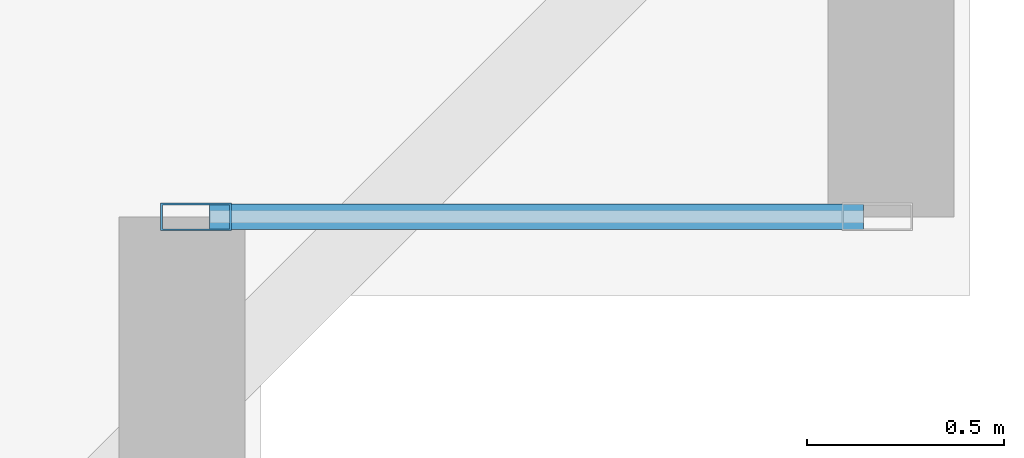
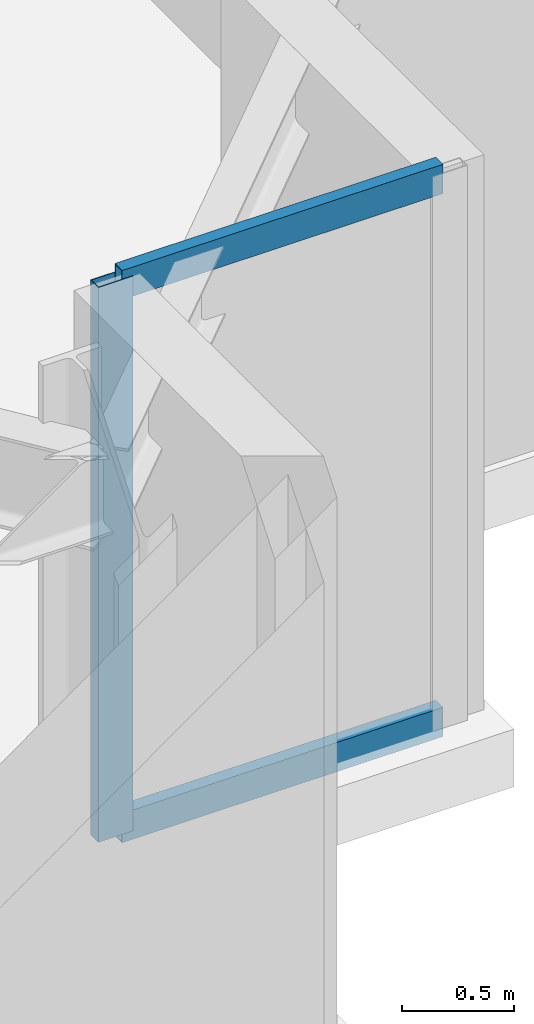
# One storey, part 10 of 26: 3 members, 1 element without a shape of its own.
"""IFC4 building model written with IfcOpenShell, lengths in metres."""

from ifc_helpers import new_model, si_unit, direction, frame, origin, origin_2d, place, context, subcontext, project, spatial, hollow_rectangle, extrude, material, layer, layer_set, material_profile, profile_set, type_object, element, aggregate, save


model = new_model("IFC4")

# Units and contexts
model_context = context("Model", 3, precision=1e-05, world=origin(), true_north=direction((0.0, 1.0)))
body_context = subcontext(model_context, "Body", "Model", "MODEL_VIEW")
ifc_project = project(units=[si_unit("LENGTHUNIT", "METRE"), si_unit("AREAUNIT", "SQUARE_METRE"), si_unit("VOLUMEUNIT", "CUBIC_METRE"), si_unit("PLANEANGLEUNIT", "RADIAN"), si_unit("MASSUNIT", "GRAM", prefix="KILO")], contexts=[model_context])

# Site, building, storey
site_placement = place(None, origin())
site = spatial("IfcSite", under=ifc_project, at=site_placement, CompositionType="ELEMENT")
building_placement = place(site_placement, origin())
building = spatial("IfcBuilding", under=site, at=building_placement, Name="Qobustan Lattice House", CompositionType="ELEMENT")
storey_placement = place(building_placement, frame((0.0, 0.0, 47.10009765625)))
storey = spatial("IfcBuildingStorey", under=building, at=storey_placement, Name="L12", CompositionType="ELEMENT", Elevation=47.10009765625)

# Curtain wall, members
ifc_material_1 = material(Name="Anodised aluminium and low-E glazing", Category="aluminium")
ifc_layer = layer(ifc_material_1, 0.219970703125)
ifc_layer_set = layer_set([ifc_layer], Name="Anodised aluminium and low-E glazing")
curtain_wall_type = type_object("IfcCurtainWallType", Name="CW-FAC-01", PredefinedType="USERDEFINED", material=ifc_layer_set)
curtain_wall_placement = place(storey_placement, origin())
curtain_wall = element("IfcCurtainWall", 1, at=curtain_wall_placement, inside=storey, type_object=curtain_wall_type, Name="L12 serrated corner faceted glazing 18", ObjectType="CURTAIN WALL", PredefinedType="USERDEFINED")
ifc_material_2 = material(Name="Anodised aluminium EN AW-6063 T6", Category="aluminium")
ifc_material_profile_1 = material_profile(ifc_material_2, hollow_rectangle(XDim=0.070068359375, YDim=0.179931640625, WallThickness=0.00439453125, at=origin_2d()), Name="CWM-180x70")
ifc_profile_set_1 = profile_set([ifc_material_profile_1], Name="Anodised aluminium EN AW-6063 T6")
member_type_1 = type_object("IfcMemberType", Name="CWM-STD-180", PredefinedType="MULLION", material=ifc_profile_set_1)
member_1_placement = place(storey_placement, frame((29.235107421875, -17.60009765625, 0.0), z_axis=(0.0, 0.0, 1.0), x_axis=(0.0, -1.0, 0.0)))
member_1 = element("IfcMember", 2, at=member_1_placement, type_object=member_type_1, Name="CW-F1 mullion 2", PredefinedType="MULLION", context=body_context, shape_type="SweptSolid", body=[
    extrude(hollow_rectangle(XDim=0.070068359375, YDim=0.179931640625, WallThickness=0.00439453125, at=origin_2d()), origin(), (0.0, 0.0, 1.0), 3.034912109375),
])
ifc_material_3 = material(Name="Anodised aluminium EN AW-6063 T6", Category="aluminium")
ifc_material_profile_2 = material_profile(ifc_material_3, hollow_rectangle(XDim=0.06494140625, YDim=0.159912109375, WallThickness=0.00390625, at=origin_2d()), Name="CWT-160x65")
ifc_profile_set_2 = profile_set([ifc_material_profile_2], Name="Anodised aluminium EN AW-6063 T6")
member_type_2 = type_object("IfcMemberType", Name="CWT-HOR-160", PredefinedType="USERDEFINED", material=ifc_profile_set_2)
member_2_placement = place(storey_placement, frame((30.929931640625, -17.60009765625, 0.032470703125), z_axis=(-1.0, 0.0, 0.0), x_axis=(0.0, -1.0, 0.0)))
member_2 = element("IfcMember", 3, at=member_2_placement, type_object=member_type_2, Name="CW-F1 transom 1.1", ObjectType="TRANSOM", PredefinedType="USERDEFINED", context=body_context, shape_type="SweptSolid", body=[
    extrude(hollow_rectangle(XDim=0.06494140625, YDim=0.159912109375, WallThickness=0.00390625, at=origin_2d()), origin(), (0.0, 0.0, 1.0), 1.659912109375),
])
member_3_placement = place(storey_placement, frame((30.929931640625, -17.60009765625, 3.00244140625), z_axis=(-1.0, 0.0, 0.0), x_axis=(0.0, -1.0, 0.0)))
member_3 = element("IfcMember", 4, at=member_3_placement, type_object=member_type_2, Name="CW-F1 transom 1.2", ObjectType="TRANSOM", PredefinedType="USERDEFINED", context=body_context, shape_type="SweptSolid", body=[
    extrude(hollow_rectangle(XDim=0.06494140625, YDim=0.159912109375, WallThickness=0.00390625, at=origin_2d()), origin(), (0.0, 0.0, 1.0), 1.659912109375),
])
aggregate(curtain_wall, [member_1, member_2, member_3])

save(model, "model.ifc")
